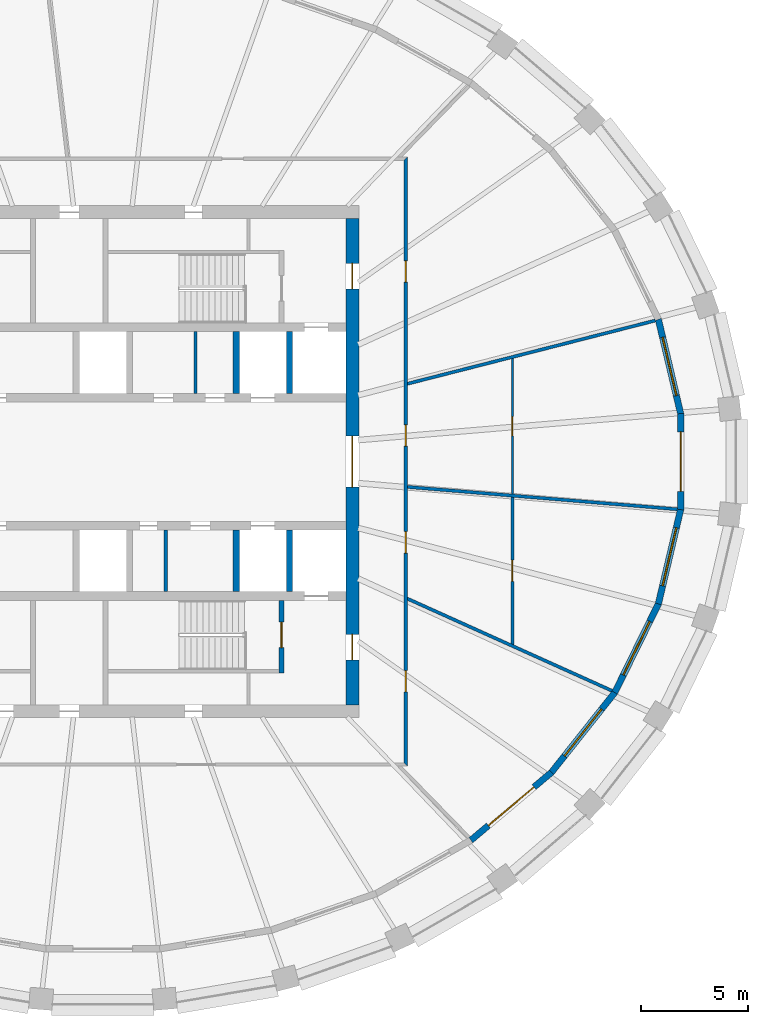
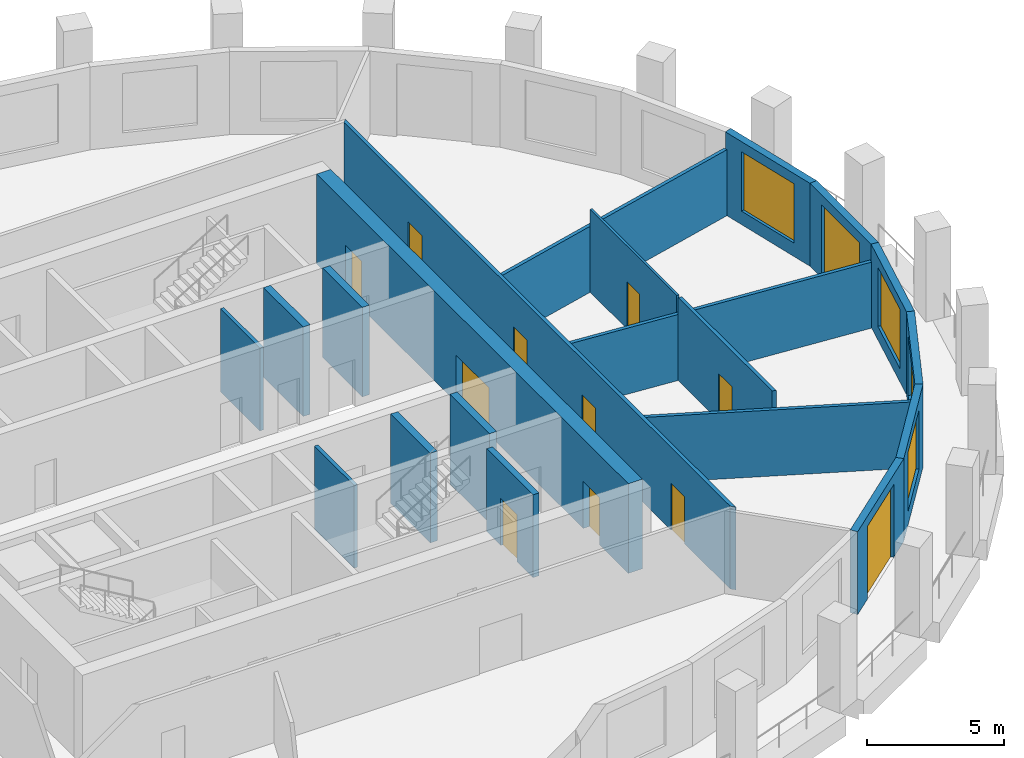
# One storey, part 5 of 10: 20 walls, 12 doors, 4 windows, 16 openings.
"""IFC4 building model written with IfcOpenShell, lengths in metres."""

from ifc_helpers import new_model, si_unit, direction, frame, frame_2d, origin, place, context, subcontext, project, spatial, polyline, rectangle, outline, extrude, material, layer, layer_set, type_object, element, fill, save


model = new_model("IFC4")

# Units and contexts
model_context = context("Model", 3, precision=1e-05, world=origin(), true_north=direction((0.0, 1.0)))
body_context = subcontext(model_context, "Body", "Model", "MODEL_VIEW")
ifc_project = project(units=[si_unit("LENGTHUNIT", "METRE"), si_unit("AREAUNIT", "SQUARE_METRE"), si_unit("VOLUMEUNIT", "CUBIC_METRE"), si_unit("PLANEANGLEUNIT", "RADIAN"), si_unit("MASSUNIT", "GRAM", prefix="KILO")], contexts=[model_context])

# Site, building, storey
site_placement = place(None, origin())
site = spatial("IfcSite", under=ifc_project, at=site_placement, CompositionType="ELEMENT")
building_placement = place(site_placement, origin())
building = spatial("IfcBuilding", under=site, at=building_placement, Name="Halqa Exchange Tower", CompositionType="ELEMENT")
storey_placement = place(building_placement, frame((0.0, 0.0, 276.300048828125)))
storey = spatial("IfcBuildingStorey", under=building, at=storey_placement, Name="L64", CompositionType="ELEMENT", Elevation=276.300048828125)

# Wall, opening, door
ifc_material_1 = material(Name="Gypsum board")
ifc_layer_1 = layer(ifc_material_1, 0.14990234375)
ifc_layer_set_1 = layer_set([ifc_layer_1], Name="Gypsum board")
wall_type_1 = type_object("IfcWallType", Name="Acoustic partition 150", PredefinedType="PARTITIONING", material=ifc_layer_set_1)
wall_1_placement = place(storey_placement, frame((19.199951171875, -1.66357421875, 0.0), z_axis=(0.0, 0.0, 1.0), x_axis=(0.0, -1.0, 0.0)))
wall_1 = element("IfcWall", 1, at=wall_1_placement, inside=storey, type_object=wall_type_1, Name="L64-PWL-021", PredefinedType="PARTITIONING", context=body_context, shape_type="SweptSolid", body=[
    extrude(outline(polyline([(0.0, -0.074951171875), (1.71533203125, -0.074951171875), (3.430908203125, -0.074951171875), (5.146240234375, -0.074951171875), (6.861572265625, -0.074951171875), (6.928955078125, 0.074462890625), (6.928955078125, 0.074951171875), (5.19970703125, 0.074951171875), (3.470458984375, 0.074951171875), (1.7412109375, 0.074951171875), (0.011962890625, 0.074951171875), (0.0, -0.069580078125), (0.0, -0.074951171875)])), origin(), (0.0, 0.0, 1.0), 3.699951171875),
])
opening_1_placement = place(wall_1_placement, frame((2.951416015625, 0.0, 0.0)))
opening_1 = element("IfcOpeningElement", 2, at=opening_1_placement, cuts=wall_1, Name="Opening 19-15", PredefinedType="OPENING", context=body_context, shape_type="SweptSolid", body=[
    extrude(rectangle(XDim=1.0, YDim=2.10009765625, at=frame_2d((0.5, 1.050048828125))), frame((0.0, 0.0869140625, 0.0), z_axis=(0.0, -1.0, 0.0), x_axis=(1.0, 0.0, 0.0)), (0.0, 0.0, 1.0), 0.173828125),
])
ifc_material_2 = material(Name="Timber door leaf", Category="wood")
door_type_1 = type_object("IfcDoorType", Name="Acoustic door 1000 x 2100", OperationType="SINGLE_SWING_LEFT", PredefinedType="DOOR", material=ifc_material_2)
door_1_placement = place(opening_1_placement, frame((1.0, 0.0, 0.0), z_axis=(0.0, 0.0, 1.0), x_axis=(-1.0, 0.0, 0.0)))
door_1 = element("IfcDoor", 3, at=door_1_placement, inside=storey, type_object=door_type_1, Name="L64-IDR-015", OperationType="SINGLE_SWING_LEFT", OverallHeight=2.10009765625, OverallWidth=1.0, PredefinedType="DOOR", context=body_context, shape_type="SweptSolid", body=[
    extrude(rectangle(XDim=1.0, YDim=2.10009765625, at=frame_2d((0.5, 1.050048828125))), frame((0.0, 0.02490234375, 0.0), z_axis=(0.0, -1.0, 0.0), x_axis=(1.0, 0.0, 0.0)), (0.0, 0.0, 1.0), 0.050048828125),
])
fill(opening_1, door_1)

# Wall, openings, doors
ifc_material_3 = material(Name="Fire-rated gypsum board")
ifc_layer_2 = layer(ifc_material_3, 0.14990234375)
ifc_layer_set_2 = layer_set([ifc_layer_2], Name="Fire-rated gypsum board")
wall_type_2 = type_object("IfcWallType", Name="Fire partition EI 60 150", PredefinedType="PARTITIONING", material=ifc_layer_set_2)
wall_2_placement = place(storey_placement, frame((14.199951171875, -14.27490234375, 0.0), z_axis=(0.0, 0.0, 1.0), x_axis=(0.0, 1.0, 0.0)))
wall_2 = element("IfcWall", 4, at=wall_2_placement, inside=storey, type_object=wall_type_2, Name="L64-PWL-017", PredefinedType="PARTITIONING", context=body_context, shape_type="SweptSolid", body=[
    extrude(outline(polyline([(28.5498046875, -0.074951171875), (28.5498046875, -0.074951171875), (28.39990234375, 0.074951171875), (26.5166015625, 0.074951171875), (24.63330078125, 0.074951171875), (22.75, 0.074951171875), (20.866455078125, 0.074951171875), (18.983154296875, 0.074951171875), (17.099853515625, 0.074951171875), (15.216552734375, 0.074951171875), (13.333251953125, 0.074951171875), (11.449951171875, 0.074951171875), (9.566650390625, 0.074951171875), (7.683349609375, 0.074951171875), (5.7998046875, 0.074951171875), (3.91650390625, 0.074951171875), (2.033203125, 0.074951171875), (0.14990234375, 0.074951171875), (0.0, -0.074951171875), (1.9033203125, -0.074951171875), (3.806640625, -0.074951171875), (5.7099609375, -0.074951171875), (7.61328125, -0.074951171875), (9.5166015625, -0.074951171875), (11.419921875, -0.074951171875), (13.3232421875, -0.074951171875), (15.2265625, -0.074951171875), (17.1298828125, -0.074951171875), (19.033203125, -0.074951171875), (20.9365234375, -0.074951171875), (22.83984375, -0.074951171875), (24.7431640625, -0.074951171875), (26.646484375, -0.074951171875), (28.5498046875, -0.074951171875)])), origin(), (0.0, 0.0, 1.0), 3.699951171875),
])
opening_2_placement = place(wall_2_placement, frame((3.47998046875, 0.0, 0.0)))
opening_2 = element("IfcOpeningElement", 5, at=opening_2_placement, cuts=wall_2, Name="Opening 19-08", PredefinedType="OPENING", context=body_context, shape_type="SweptSolid", body=[
    extrude(rectangle(XDim=1.0, YDim=2.10009765625, at=frame_2d((0.5, 1.050048828125))), frame((0.0, 0.0869140625, 0.0), z_axis=(0.0, -1.0, 0.0), x_axis=(1.0, 0.0, 0.0)), (0.0, 0.0, 1.0), 0.173828125),
])
opening_3_placement = place(wall_2_placement, frame((9.989990234375, 0.0, 0.0)))
opening_3 = element("IfcOpeningElement", 6, at=opening_3_placement, cuts=wall_2, Name="Opening 19-09", PredefinedType="OPENING", context=body_context, shape_type="SweptSolid", body=[
    extrude(rectangle(XDim=1.0, YDim=2.10009765625, at=frame_2d((0.5, 1.050048828125))), frame((0.0, 0.0869140625, 0.0), z_axis=(0.0, -1.0, 0.0), x_axis=(1.0, 0.0, 0.0)), (0.0, 0.0, 1.0), 0.173828125),
])
opening_4_placement = place(wall_2_placement, frame((15.0, 0.0, 0.0)))
opening_4 = element("IfcOpeningElement", 7, at=opening_4_placement, cuts=wall_2, Name="Opening 19-10", PredefinedType="OPENING", context=body_context, shape_type="SweptSolid", body=[
    extrude(rectangle(XDim=1.0, YDim=2.10009765625, at=frame_2d((0.5, 1.050048828125))), frame((0.0, 0.0869140625, 0.0), z_axis=(0.0, -1.0, 0.0), x_axis=(1.0, 0.0, 0.0)), (0.0, 0.0, 1.0), 0.173828125),
])
opening_5_placement = place(wall_2_placement, frame((22.68994140625, 0.0, 0.0)))
opening_5 = element("IfcOpeningElement", 8, at=opening_5_placement, cuts=wall_2, Name="Opening 19-11", PredefinedType="OPENING", context=body_context, shape_type="SweptSolid", body=[
    extrude(rectangle(XDim=1.0, YDim=2.10009765625, at=frame_2d((0.5, 1.050048828125))), frame((0.0, 0.0869140625, 0.0), z_axis=(0.0, -1.0, 0.0), x_axis=(1.0, 0.0, 0.0)), (0.0, 0.0, 1.0), 0.173828125),
])
ifc_material_4 = material(Name="Steel fire door leaf", Category="steel")
door_type_2 = type_object("IfcDoorType", Name="Fire door FD30S 1000 x 2100", OperationType="SINGLE_SWING_LEFT", PredefinedType="DOOR", material=ifc_material_4)
door_2_placement = place(opening_2_placement, frame((1.0, 0.0, 0.0), z_axis=(0.0, 0.0, 1.0), x_axis=(-1.0, 0.0, 0.0)))
door_2 = element("IfcDoor", 9, at=door_2_placement, inside=storey, type_object=door_type_2, Name="L64-IDR-008", OperationType="SINGLE_SWING_RIGHT", OverallHeight=2.10009765625, OverallWidth=1.0, PredefinedType="DOOR", context=body_context, shape_type="SweptSolid", body=[
    extrude(rectangle(XDim=1.0, YDim=2.10009765625, at=frame_2d((0.5, 1.050048828125))), frame((0.0, 0.02490234375, 0.0), z_axis=(0.0, -1.0, 0.0), x_axis=(1.0, 0.0, 0.0)), (0.0, 0.0, 1.0), 0.050048828125),
])
fill(opening_2, door_2)
door_3_placement = place(opening_3_placement, frame((1.0, 0.0, 0.0), z_axis=(0.0, 0.0, 1.0), x_axis=(-1.0, 0.0, 0.0)))
door_3 = element("IfcDoor", 10, at=door_3_placement, inside=storey, type_object=door_type_2, Name="L64-IDR-009", OperationType="SINGLE_SWING_LEFT", OverallHeight=2.10009765625, OverallWidth=1.0, PredefinedType="DOOR", context=body_context, shape_type="SweptSolid", body=[
    extrude(rectangle(XDim=1.0, YDim=2.10009765625, at=frame_2d((0.5, 1.050048828125))), frame((0.0, 0.02490234375, 0.0), z_axis=(0.0, -1.0, 0.0), x_axis=(1.0, 0.0, 0.0)), (0.0, 0.0, 1.0), 0.050048828125),
])
fill(opening_3, door_3)
door_4_placement = place(opening_4_placement, frame((1.0, 0.0, 0.0), z_axis=(0.0, 0.0, 1.0), x_axis=(-1.0, 0.0, 0.0)))
door_4 = element("IfcDoor", 11, at=door_4_placement, inside=storey, type_object=door_type_2, Name="L64-IDR-010", OperationType="SINGLE_SWING_RIGHT", OverallHeight=2.10009765625, OverallWidth=1.0, PredefinedType="DOOR", context=body_context, shape_type="SweptSolid", body=[
    extrude(rectangle(XDim=1.0, YDim=2.10009765625, at=frame_2d((0.5, 1.050048828125))), frame((0.0, 0.02490234375, 0.0), z_axis=(0.0, -1.0, 0.0), x_axis=(1.0, 0.0, 0.0)), (0.0, 0.0, 1.0), 0.050048828125),
])
fill(opening_4, door_4)
door_5_placement = place(opening_5_placement, frame((1.0, 0.0, 0.0), z_axis=(0.0, 0.0, 1.0), x_axis=(-1.0, 0.0, 0.0)))
door_5 = element("IfcDoor", 12, at=door_5_placement, inside=storey, type_object=door_type_2, Name="L64-IDR-011", OperationType="SINGLE_SWING_RIGHT", OverallHeight=2.10009765625, OverallWidth=1.0, PredefinedType="DOOR", context=body_context, shape_type="SweptSolid", body=[
    extrude(rectangle(XDim=1.0, YDim=2.10009765625, at=frame_2d((0.5, 1.050048828125))), frame((0.0, 0.02490234375, 0.0), z_axis=(0.0, -1.0, 0.0), x_axis=(1.0, 0.0, 0.0)), (0.0, 0.0, 1.0), 0.050048828125),
])
fill(opening_5, door_5)

# Walls
wall_3_placement = place(storey_placement, frame((14.24462890625, -6.41015625, 0.0), z_axis=(0.0, 0.0, 1.0), x_axis=(0.91183931518, -0.410547272908, 0.0)))
element("IfcWall", 13, at=wall_3_placement, inside=storey, type_object=wall_type_2, Name="L64-PWL-018", PredefinedType="PARTITIONING", context=body_context, shape_type="SweptSolid", body=[
    extrude(outline(polyline([(0.067138671875, -0.074951171875), (1.812744140625, -0.074951171875), (3.55859375, -0.074951171875), (5.304443359375, -0.074951171875), (7.05029296875, -0.074951171875), (8.796142578125, -0.074951171875), (10.541748046875, -0.074951171875), (10.559814453125, -0.00341796875), (10.5625, 0.072998046875), (10.5625, 0.074951171875), (8.816162109375, 0.074951171875), (7.070068359375, 0.074951171875), (5.32373046875, 0.074951171875), (5.3193359375, 0.072998046875), (5.318359375, 0.074951171875), (3.545654296875, 0.074951171875), (1.772705078125, 0.074951171875), (0.0, 0.074951171875), (0.0, 0.073974609375), (0.067138671875, -0.074951171875)])), origin(), (0.0, 0.0, 1.0), 2.947021484375),
])
wall_4_placement = place(storey_placement, frame((14.269287109375, -1.185791015625, 0.0), z_axis=(0.0, 0.0, 1.0), x_axis=(0.996588692452, -0.082528650035, 0.0)))
element("IfcWall", 14, at=wall_4_placement, inside=storey, type_object=wall_type_2, Name="L64-PWL-019", PredefinedType="PARTITIONING", context=body_context, shape_type="SweptSolid", body=[
    extrude(outline(polyline([(0.011962890625, -0.074951171875), (1.68212890625, -0.074951171875), (3.3525390625, -0.074951171875), (5.022705078125, -0.074951171875), (5.029052734375, -0.074462890625), (5.029052734375, -0.074951171875), (6.947021484375, -0.074951171875), (8.864990234375, -0.074951171875), (10.782958984375, -0.074951171875), (12.700927734375, -0.074951171875), (12.705810546875, -0.04248046875), (12.705810546875, 0.074951171875), (10.7529296875, 0.074951171875), (8.800048828125, 0.074951171875), (6.846923828125, 0.074951171875), (4.89404296875, 0.074951171875), (4.89111328125, 0.07470703125), (4.89111328125, 0.074951171875), (3.2607421875, 0.074951171875), (1.63037109375, 0.074951171875), (0.0, 0.074951171875), (0.0, 0.0693359375), (0.011962890625, -0.074951171875)])), origin(), (0.0, 0.0, 1.0), 2.947021484375),
])
wall_5_placement = place(storey_placement, frame((14.256591796875, 3.64453125, 0.0), z_axis=(0.0, 0.0, 1.0), x_axis=(0.968990601513, 0.247097580277, 0.0)))
element("IfcWall", 15, at=wall_5_placement, inside=storey, type_object=wall_type_2, Name="L64-PWL-020", PredefinedType="PARTITIONING", context=body_context, shape_type="SweptSolid", body=[
    extrude(outline(polyline([(12.0185546875, -0.074951171875), (12.0185546875, 0.011474609375), (12.005126953125, 0.074951171875), (10.0107421875, 0.074951171875), (8.01611328125, 0.074951171875), (6.021728515625, 0.074951171875), (4.027099609375, 0.074951171875), (2.03271484375, 0.074951171875), (0.0380859375, 0.074951171875), (0.0, -0.074462890625), (0.0, -0.074951171875), (1.717041015625, -0.074951171875), (3.433837890625, -0.074951171875), (5.15087890625, -0.074951171875), (6.86767578125, -0.074951171875), (8.584716796875, -0.074951171875), (10.301513671875, -0.074951171875), (12.0185546875, -0.074951171875)])), origin(), (0.0, 0.0, 1.0), 2.947021484375),
])

# Wall, opening, door
ifc_layer_3 = layer(ifc_material_1, 0.10009765625)
ifc_layer_set_3 = layer_set([ifc_layer_3], Name="Gypsum board")
wall_type_3 = type_object("IfcWallType", Name="Partition 100 gypsum", PredefinedType="PARTITIONING", material=ifc_layer_set_3)
wall_6_placement = place(storey_placement, frame((19.199951171875, 4.840087890625, 0.0), z_axis=(0.0, 0.0, 1.0), x_axis=(0.0, -1.0, 0.0)))
wall_6 = element("IfcWall", 16, at=wall_6_placement, inside=storey, type_object=wall_type_3, Name="L64-PWL-022", PredefinedType="PARTITIONING", context=body_context, shape_type="SweptSolid", body=[
    extrude(outline(polyline([(0.025146484375, -0.050048828125), (1.607421875, -0.050048828125), (3.18994140625, -0.050048828125), (4.772216796875, -0.050048828125), (6.354736328125, -0.050048828125), (6.362548828125, 0.044921875), (6.362548828125, 0.050048828125), (4.77197265625, 0.050048828125), (3.18115234375, 0.050048828125), (1.590576171875, 0.050048828125), (0.0, 0.050048828125), (0.0, 0.048583984375), (0.025146484375, -0.050048828125)])), origin(), (0.0, 0.0, 1.0), 3.699951171875),
])
opening_6_placement = place(wall_6_placement, frame((2.72998046875, 0.0, 0.0)))
opening_6 = element("IfcOpeningElement", 17, at=opening_6_placement, cuts=wall_6, Name="Opening 19-16", PredefinedType="OPENING", context=body_context, shape_type="SweptSolid", body=[
    extrude(rectangle(XDim=0.89990234375, YDim=2.10009765625, at=frame_2d((0.449951171875, 1.050048828125))), frame((0.0, 0.06201171875, 0.0), z_axis=(0.0, -1.0, 0.0), x_axis=(1.0, 0.0, 0.0)), (0.0, 0.0, 1.0), 0.1240234375),
])
door_type_3 = type_object("IfcDoorType", Name="Door 900 x 2100", OperationType="SINGLE_SWING_LEFT", PredefinedType="DOOR", material=ifc_material_2)
door_6_placement = place(opening_6_placement, frame((0.89990234375, 0.0, 0.0), z_axis=(0.0, 0.0, 1.0), x_axis=(-1.0, 0.0, 0.0)))
door_6 = element("IfcDoor", 18, at=door_6_placement, inside=storey, type_object=door_type_3, Name="L64-IDR-016", OperationType="SINGLE_SWING_LEFT", OverallHeight=2.10009765625, OverallWidth=0.89990234375, PredefinedType="DOOR", context=body_context, shape_type="SweptSolid", body=[
    extrude(rectangle(XDim=0.89990234375, YDim=2.10009765625, at=frame_2d((0.449951171875, 1.050048828125))), frame((0.0, 0.02490234375, 0.0), z_axis=(0.0, -1.0, 0.0), x_axis=(1.0, 0.0, 0.0)), (0.0, 0.0, 1.0), 0.050048828125),
])
fill(opening_6, door_6)

# Walls
ifc_layer_4 = layer(ifc_material_1, 0.14990234375)
ifc_layer_set_4 = layer_set([ifc_layer_4], Name="Gypsum board")
wall_type_4 = type_object("IfcWallType", Name="Penthouse riser wall 150 gypsum", PredefinedType="PARTITIONING", material=ifc_layer_set_4)
for number, where, z_axis, x_axis, name in (
    (19, (4.35009765625, 3.199951171875, 0.0), (0.0, 0.0, 1.0), (0.0, 1.0, 0.0), "Freed bay partition NE4.350"),
    (20, (2.949951171875, -6.10009765625, 0.0), (0.0, 0.0, 1.0), (0.0, 1.0, 0.0), "Freed bay partition SE2.950"),
):
    element("IfcWall", number, at=place(storey_placement, frame(where, z_axis=z_axis, x_axis=x_axis)), inside=storey, type_object=wall_type_4, Name=name, PredefinedType="PARTITIONING", context=body_context, shape_type="SweptSolid", body=[
        extrude(rectangle(XDim=2.900146484375, YDim=0.14990234375, at=frame_2d((1.4501953125, 0.0))), origin(), (0.0, 0.0, 1.0), 3.699951171875),
    ])
ifc_material_5 = material(Name="Concrete C60/75", Category="concrete")
ifc_layer_5 = layer(ifc_material_5, 0.300048828125)
ifc_layer_set_5 = layer_set([ifc_layer_5], Name="Concrete C60/75")
wall_type_5 = type_object("IfcWallType", Name="RC core wall 300", PredefinedType="SHEAR", material=ifc_layer_set_5)
for number, where, z_axis, x_axis, name in (
    (21, (6.25, 3.199951171875, 0.0), (0.0, 0.0, 1.0), (0.0, 1.0, 0.0), "Shaft divider N7"),
    (22, (8.75, 3.199951171875, 0.0), (0.0, 0.0, 1.0), (0.0, 1.0, 0.0), "Shaft divider N8"),
    (23, (6.25, -6.10009765625, 0.0), (0.0, 0.0, 1.0), (0.0, 1.0, 0.0), "Shaft divider S7"),
    (24, (8.75, -6.10009765625, 0.0), (0.0, 0.0, 1.0), (0.0, 1.0, 0.0), "Shaft divider S8"),
):
    element("IfcWall", number, at=place(storey_placement, frame(where, z_axis=z_axis, x_axis=x_axis)), inside=storey, type_object=wall_type_5, Name=name, PredefinedType="SHEAR", context=body_context, shape_type="SweptSolid", body=[
        extrude(rectangle(XDim=2.900146484375, YDim=0.300048828125, at=frame_2d((1.4501953125, 0.0))), origin(), (0.0, 0.0, 1.0), 4.0),
    ])

# Wall, openings, doors
ifc_layer_6 = layer(ifc_material_5, 0.60009765625)
ifc_layer_set_6 = layer_set([ifc_layer_6], Name="Concrete C60/75")
wall_type_6 = type_object("IfcWallType", Name="RC core wall 600 C60/75", PredefinedType="SHEAR", material=ifc_layer_set_6)
wall_7_placement = place(storey_placement, frame((11.699951171875, -11.39990234375, 0.0), z_axis=(0.0, 0.0, 1.0), x_axis=(0.0, 1.0, 0.0)))
wall_7 = element("IfcWall", 25, at=wall_7_placement, inside=storey, type_object=wall_type_6, Name="Core wall east", PredefinedType="SHEAR", context=body_context, shape_type="SweptSolid", body=[
    extrude(rectangle(XDim=22.7998046875, YDim=0.60009765625, at=frame_2d((11.39990234375, 0.0))), origin(), (0.0, 0.0, 1.0), 4.0),
])
opening_7_placement = place(wall_7_placement, frame((10.199951171875, 0.0, 0.0)))
opening_7 = element("IfcOpeningElement", 26, at=opening_7_placement, cuts=wall_7, Name="Opening T19-C10", PredefinedType="OPENING", context=body_context, shape_type="SweptSolid", body=[
    extrude(rectangle(XDim=2.39990234375, YDim=2.10009765625, at=frame_2d((1.199951171875, 1.050048828125))), frame((0.0, 0.31201171875, 0.0), z_axis=(0.0, -1.0, 0.0), x_axis=(1.0, 0.0, 0.0)), (0.0, 0.0, 1.0), 0.6240234375),
])
opening_8_placement = place(wall_7_placement, frame((19.5, 0.0, 0.0)))
opening_8 = element("IfcOpeningElement", 27, at=opening_8_placement, cuts=wall_7, Name="Opening T19-C15", PredefinedType="OPENING", context=body_context, shape_type="SweptSolid", body=[
    extrude(rectangle(XDim=1.199951171875, YDim=2.10009765625, at=frame_2d((0.60009765625, 1.050048828125))), frame((0.0, 0.31201171875, 0.0), z_axis=(0.0, -1.0, 0.0), x_axis=(1.0, 0.0, 0.0)), (0.0, 0.0, 1.0), 0.6240234375),
])
opening_9_placement = place(wall_7_placement, frame((2.10009765625, 0.0, 0.0)))
opening_9 = element("IfcOpeningElement", 28, at=opening_9_placement, cuts=wall_7, Name="Opening T19-C16", PredefinedType="OPENING", context=body_context, shape_type="SweptSolid", body=[
    extrude(rectangle(XDim=1.199951171875, YDim=2.10009765625, at=frame_2d((0.60009765625, 1.050048828125))), frame((0.0, 0.31201171875, 0.0), z_axis=(0.0, -1.0, 0.0), x_axis=(1.0, 0.0, 0.0)), (0.0, 0.0, 1.0), 0.6240234375),
])
door_type_4 = type_object("IfcDoorType", Name="Firefighting lobby door FD90 1200 x 2100", OperationType="SINGLE_SWING_RIGHT", PredefinedType="DOOR", material=ifc_material_4)
door_7_placement = place(opening_8_placement, origin())
door_7 = element("IfcDoor", 29, at=door_7_placement, inside=storey, type_object=door_type_4, Name="Firefighting lobby door", OperationType="SINGLE_SWING_RIGHT", OverallHeight=2.10009765625, OverallWidth=1.199951171875, PredefinedType="DOOR", context=body_context, shape_type="SweptSolid", body=[
    extrude(rectangle(XDim=1.199951171875, YDim=2.10009765625, at=frame_2d((0.60009765625, 1.050048828125))), frame((0.0, 0.02490234375, 0.0), z_axis=(0.0, -1.0, 0.0), x_axis=(1.0, 0.0, 0.0)), (0.0, 0.0, 1.0), 0.050048828125),
])
fill(opening_8, door_7)
door_8_placement = place(opening_9_placement, origin())
door_8 = element("IfcDoor", 30, at=door_8_placement, inside=storey, type_object=door_type_4, Name="Firefighting lobby door", OperationType="SINGLE_SWING_LEFT", OverallHeight=2.10009765625, OverallWidth=1.199951171875, PredefinedType="DOOR", context=body_context, shape_type="SweptSolid", body=[
    extrude(rectangle(XDim=1.199951171875, YDim=2.10009765625, at=frame_2d((0.60009765625, 1.050048828125))), frame((0.0, 0.02490234375, 0.0), z_axis=(0.0, -1.0, 0.0), x_axis=(1.0, 0.0, 0.0)), (0.0, 0.0, 1.0), 0.050048828125),
])
fill(opening_9, door_8)
door_type_5 = type_object("IfcDoorType", Name="Lobby double door FD60 2400 x 2100", OperationType="DOUBLE_DOOR_SINGLE_SWING", PredefinedType="DOOR", material=ifc_material_4)
door_9_placement = place(opening_7_placement, origin())
door_9 = element("IfcDoor", 31, at=door_9_placement, inside=storey, type_object=door_type_5, Name="Lift lobby double door", OperationType="DOUBLE_DOOR_SINGLE_SWING", OverallHeight=2.10009765625, OverallWidth=2.39990234375, PredefinedType="DOOR", context=body_context, shape_type="SweptSolid", body=[
    extrude(rectangle(XDim=2.39990234375, YDim=2.10009765625, at=frame_2d((1.199951171875, 1.050048828125))), frame((0.0, 0.02490234375, 0.0), z_axis=(0.0, -1.0, 0.0), x_axis=(1.0, 0.0, 0.0)), (0.0, 0.0, 1.0), 0.050048828125),
])
fill(opening_7, door_9)

# Wall, opening, door
ifc_material_6 = material(Name="Concrete C30/37", Category="concrete")
ifc_layer_7 = layer(ifc_material_6, 0.25)
ifc_layer_set_7 = layer_set([ifc_layer_7], Name="Concrete C30/37")
wall_type_7 = type_object("IfcWallType", Name="RC stair wall 250 C30/37", PredefinedType="SHEAR", material=ifc_layer_set_7)
wall_8_placement = place(storey_placement, frame((8.375, -9.89990234375, 0.0), z_axis=(0.0, 0.0, 1.0), x_axis=(0.0, 1.0, 0.0)))
wall_8 = element("IfcWall", 32, at=wall_8_placement, inside=storey, type_object=wall_type_7, Name="Stair ST2 east wall S", PredefinedType="SHEAR", context=body_context, shape_type="SweptSolid", body=[
    extrude(rectangle(XDim=3.39990234375, YDim=0.25, at=frame_2d((1.699951171875, 0.0))), origin(), (0.0, 0.0, 1.0), 3.699951171875),
])
opening_10_placement = place(wall_8_placement, frame((1.175048828125, 0.0, 0.0)))
opening_10 = element("IfcOpeningElement", 33, at=opening_10_placement, cuts=wall_8, Name="Opening T19-C14", PredefinedType="OPENING", context=body_context, shape_type="SweptSolid", body=[
    extrude(rectangle(XDim=1.199951171875, YDim=2.10009765625, at=frame_2d((0.60009765625, 1.050048828125))), frame((0.0, 0.136962890625, 0.0), z_axis=(0.0, -1.0, 0.0), x_axis=(1.0, 0.0, 0.0)), (0.0, 0.0, 1.0), 0.27392578125),
])
door_type_6 = type_object("IfcDoorType", Name="Stair door FD90 1200 x 2100", OperationType="SINGLE_SWING_LEFT", PredefinedType="DOOR", material=ifc_material_4)
door_10_placement = place(opening_10_placement, origin())
door_10 = element("IfcDoor", 34, at=door_10_placement, inside=storey, type_object=door_type_6, Name="Stair door ST4", OperationType="SINGLE_SWING_RIGHT", OverallHeight=2.10009765625, OverallWidth=1.199951171875, PredefinedType="DOOR", context=body_context, shape_type="SweptSolid", body=[
    extrude(rectangle(XDim=1.199951171875, YDim=2.10009765625, at=frame_2d((0.60009765625, 1.050048828125))), frame((0.0, 0.02490234375, 0.0), z_axis=(0.0, -1.0, 0.0), x_axis=(1.0, 0.0, 0.0)), (0.0, 0.0, 1.0), 0.050048828125),
])
fill(opening_10, door_10)

# Wall, opening, window
ifc_material_7 = material(Name="Limestone cladding", Category="masonry")
ifc_layer_8 = layer(ifc_material_7, 0.0400390625)
ifc_material_8 = material(Name="Ventilated cavity")
ifc_layer_9 = layer(ifc_material_8, 0.030029296875, ventilated=True)
ifc_material_9 = material(Name="Mineral wool insulation")
ifc_layer_10 = layer(ifc_material_9, 0.10009765625)
ifc_layer_11 = layer(ifc_material_6, 0.10009765625)
ifc_material_10 = material(Name="Internal plaster")
ifc_layer_12 = layer(ifc_material_10, 0.030029296875)
ifc_layer_set_8 = layer_set([ifc_layer_8, ifc_layer_9, ifc_layer_10, ifc_layer_11, ifc_layer_12], Name="Stone-faced insulated wall 300")
wall_type_8 = type_object("IfcWallType", Name="Stone-faced insulated wall 300", PredefinedType="STANDARD", material=ifc_layer_set_8)
wall_9_placement = place(storey_placement, frame((27.088134765625, 2.25244140625, 0.0), z_axis=(0.0, 0.0, 1.0), x_axis=(-0.22983372436, 0.973229910734, 0.0)))
wall_9 = element("IfcWall", 35, at=wall_9_placement, inside=storey, type_object=wall_type_8, Name="Glass-line wall 1", PredefinedType="STANDARD", context=body_context, shape_type="SweptSolid", body=[
    extrude(outline(polyline([(-0.017578125, -0.14990234375), (4.555908203125, -0.14990234375), (4.522216796875, 0.14990234375), (0.017578125, 0.14990234375), (-0.017578125, -0.14990234375)])), origin(), (0.0, 0.0, 1.0), 3.699951171875),
])
opening_11_placement = place(wall_9_placement, frame((0.869384765625, 0.0, 0.60009765625)))
opening_11 = element("IfcOpeningElement", 36, at=opening_11_placement, cuts=wall_9, Name="Opening W-F4-01", PredefinedType="OPENING", context=body_context, shape_type="SweptSolid", body=[
    extrude(rectangle(XDim=2.800048828125, YDim=2.64990234375, at=frame_2d((1.39990234375, 1.324951171875))), frame((0.0, 0.162109375, 0.0), z_axis=(0.0, -1.0, 0.0), x_axis=(1.0, 0.0, 0.0)), (0.0, 0.0, 1.0), 0.323974609375),
])
ifc_material_11 = material(Name="Clear low-emissivity glass in aluminium frame", Category="aluminium")
window_type = type_object("IfcWindowType", Name="Fixed clear glazed window 2800 x 2650", PartitioningType="DOUBLE_PANEL_VERTICAL", PredefinedType="WINDOW", material=ifc_material_11)
window_1_placement = place(opening_11_placement, origin())
window_1 = element("IfcWindow", 37, at=window_1_placement, inside=storey, type_object=window_type, Name="Window 4", OverallHeight=2.64990234375, OverallWidth=2.800048828125, PartitioningType="DOUBLE_PANEL_VERTICAL", PredefinedType="WINDOW", context=body_context, shape_type="SweptSolid", body=[
    extrude(rectangle(XDim=2.800048828125, YDim=2.64990234375, at=frame_2d((1.39990234375, 1.324951171875))), frame((0.0, 0.030029296875, 0.0), z_axis=(0.0, -1.0, 0.0), x_axis=(1.0, 0.0, 0.0)), (0.0, 0.0, 1.0), 0.06005859375),
])
fill(opening_11, window_1)

# Wall, opening, door
wall_10_placement = place(storey_placement, frame((17.2578125, -17.74951171875, 0.0), z_axis=(0.0, 0.0, 1.0), x_axis=(0.764832940795, 0.644228664897, 0.0)))
wall_10 = element("IfcWall", 38, at=wall_10_placement, inside=storey, type_object=wall_type_8, Name="Glass-line wall 28", PredefinedType="STANDARD", context=body_context, shape_type="SweptSolid", body=[
    extrude(outline(polyline([(-0.01416015625, -0.14990234375), (4.950439453125, -0.14990234375), (4.920166015625, 0.14990234375), (0.01416015625, 0.14990234375), (-0.01416015625, -0.14990234375)])), origin(), (0.0, 0.0, 1.0), 3.699951171875),
])
opening_12_placement = place(wall_10_placement, frame((1.067626953125, 0.0, 0.0)))
opening_12 = element("IfcOpeningElement", 39, at=opening_12_placement, cuts=wall_10, Name="Opening LG-F4-07", PredefinedType="OPENING", context=body_context, shape_type="SweptSolid", body=[
    extrude(rectangle(XDim=2.800048828125, YDim=3.25, at=frame_2d((1.39990234375, 1.625))), frame((0.0, 0.162109375, 0.0), z_axis=(0.0, -1.0, 0.0), x_axis=(1.0, 0.0, 0.0)), (0.0, 0.0, 1.0), 0.323974609375),
])
door_type_7 = type_object("IfcDoorType", Name="Glazed sliding loggia door 2800 x 3250", OperationType="DOUBLE_DOOR_SLIDING", PredefinedType="DOOR", material=ifc_material_11)
door_11_placement = place(opening_12_placement, origin())
door_11 = element("IfcDoor", 40, at=door_11_placement, inside=storey, type_object=door_type_7, Name="Loggia door 7", OperationType="DOUBLE_DOOR_SLIDING", OverallHeight=3.25, OverallWidth=2.800048828125, PredefinedType="DOOR", context=body_context, shape_type="SweptSolid", body=[
    extrude(rectangle(XDim=2.800048828125, YDim=3.25, at=frame_2d((1.39990234375, 1.625))), frame((0.0, 0.02490234375, 0.0), z_axis=(0.0, -1.0, 0.0), x_axis=(1.0, 0.0, 0.0)), (0.0, 0.0, 1.0), 0.050048828125),
])
fill(opening_12, door_11)

# Wall, opening, window
wall_11_placement = place(storey_placement, frame((21.032470703125, -14.570068359375, 0.0), z_axis=(0.0, 0.0, 1.0), x_axis=(0.621434755851, 0.783465917715, 0.0)))
wall_11 = element("IfcWall", 41, at=wall_11_placement, inside=storey, type_object=wall_type_8, Name="Glass-line wall 29", PredefinedType="STANDARD", context=body_context, shape_type="SweptSolid", body=[
    extrude(outline(polyline([(-0.01513671875, -0.14990234375), (4.791015625, -0.14990234375), (4.7587890625, 0.14990234375), (0.01513671875, 0.14990234375), (-0.01513671875, -0.14990234375)])), origin(), (0.0, 0.0, 1.0), 3.699951171875),
])
opening_13_placement = place(wall_11_placement, frame((0.9873046875, 0.0, 0.60009765625)))
opening_13 = element("IfcOpeningElement", 42, at=opening_13_placement, cuts=wall_11, Name="Opening W-F4-29", PredefinedType="OPENING", context=body_context, shape_type="SweptSolid", body=[
    extrude(rectangle(XDim=2.800048828125, YDim=2.64990234375, at=frame_2d((1.39990234375, 1.324951171875))), frame((0.0, 0.162109375, 0.0), z_axis=(0.0, -1.0, 0.0), x_axis=(1.0, 0.0, 0.0)), (0.0, 0.0, 1.0), 0.323974609375),
])
window_2_placement = place(opening_13_placement, origin())
window_2 = element("IfcWindow", 43, at=window_2_placement, inside=storey, type_object=window_type, Name="Window 4", OverallHeight=2.64990234375, OverallWidth=2.800048828125, PartitioningType="DOUBLE_PANEL_VERTICAL", PredefinedType="WINDOW", context=body_context, shape_type="SweptSolid", body=[
    extrude(rectangle(XDim=2.800048828125, YDim=2.64990234375, at=frame_2d((1.39990234375, 1.324951171875))), frame((0.0, 0.030029296875, 0.0), z_axis=(0.0, -1.0, 0.0), x_axis=(1.0, 0.0, 0.0)), (0.0, 0.0, 1.0), 0.06005859375),
])
fill(opening_13, window_2)

wall_12_placement = place(storey_placement, frame((23.999755859375, -10.8291015625, 0.0), z_axis=(0.0, 0.0, 1.0), x_axis=(0.441261940724, 0.897378348117, 0.0)))
wall_12 = element("IfcWall", 44, at=wall_12_placement, inside=storey, type_object=wall_type_8, Name="Glass-line wall 30", PredefinedType="STANDARD", context=body_context, shape_type="SweptSolid", body=[
    extrude(outline(polyline([(-0.01611328125, -0.14990234375), (4.651611328125, -0.14990234375), (4.617919921875, 0.14990234375), (0.01611328125, 0.14990234375), (-0.01611328125, -0.14990234375)])), origin(), (0.0, 0.0, 1.0), 3.699951171875),
])
opening_14_placement = place(wall_12_placement, frame((0.91748046875, 0.0, 0.60009765625)))
opening_14 = element("IfcOpeningElement", 45, at=opening_14_placement, cuts=wall_12, Name="Opening W-F4-30", PredefinedType="OPENING", context=body_context, shape_type="SweptSolid", body=[
    extrude(rectangle(XDim=2.800048828125, YDim=2.64990234375, at=frame_2d((1.39990234375, 1.324951171875))), frame((0.0, 0.162109375, 0.0), z_axis=(0.0, -1.0, 0.0), x_axis=(1.0, 0.0, 0.0)), (0.0, 0.0, 1.0), 0.323974609375),
])
window_3_placement = place(opening_14_placement, origin())
window_3 = element("IfcWindow", 46, at=window_3_placement, inside=storey, type_object=window_type, Name="Window 4", OverallHeight=2.64990234375, OverallWidth=2.800048828125, PartitioningType="DOUBLE_PANEL_VERTICAL", PredefinedType="WINDOW", context=body_context, shape_type="SweptSolid", body=[
    extrude(rectangle(XDim=2.800048828125, YDim=2.64990234375, at=frame_2d((1.39990234375, 1.324951171875))), frame((0.0, 0.030029296875, 0.0), z_axis=(0.0, -1.0, 0.0), x_axis=(1.0, 0.0, 0.0)), (0.0, 0.0, 1.0), 0.06005859375),
])
fill(opening_14, window_3)

wall_13_placement = place(storey_placement, frame((26.044921875, -6.669921875, 0.0), z_axis=(0.0, 0.0, 1.0), x_axis=(0.22983372436, 0.973229910734, 0.0)))
wall_13 = element("IfcWall", 47, at=wall_13_placement, inside=storey, type_object=wall_type_8, Name="Glass-line wall 31", PredefinedType="STANDARD", context=body_context, shape_type="SweptSolid", body=[
    extrude(outline(polyline([(-0.016845703125, -0.14990234375), (4.556640625, -0.14990234375), (4.521484375, 0.14990234375), (0.016845703125, 0.14990234375), (-0.016845703125, -0.14990234375)])), origin(), (0.0, 0.0, 1.0), 3.699951171875),
])
opening_15_placement = place(wall_13_placement, frame((0.869384765625, 0.0, 0.60009765625)))
opening_15 = element("IfcOpeningElement", 48, at=opening_15_placement, cuts=wall_13, Name="Opening W-F4-31", PredefinedType="OPENING", context=body_context, shape_type="SweptSolid", body=[
    extrude(rectangle(XDim=2.800048828125, YDim=2.64990234375, at=frame_2d((1.39990234375, 1.324951171875))), frame((0.0, 0.162109375, 0.0), z_axis=(0.0, -1.0, 0.0), x_axis=(1.0, 0.0, 0.0)), (0.0, 0.0, 1.0), 0.323974609375),
])
window_4_placement = place(opening_15_placement, origin())
window_4 = element("IfcWindow", 49, at=window_4_placement, inside=storey, type_object=window_type, Name="Window 4", OverallHeight=2.64990234375, OverallWidth=2.800048828125, PartitioningType="DOUBLE_PANEL_VERTICAL", PredefinedType="WINDOW", context=body_context, shape_type="SweptSolid", body=[
    extrude(rectangle(XDim=2.800048828125, YDim=2.64990234375, at=frame_2d((1.39990234375, 1.324951171875))), frame((0.0, 0.030029296875, 0.0), z_axis=(0.0, -1.0, 0.0), x_axis=(1.0, 0.0, 0.0)), (0.0, 0.0, 1.0), 0.06005859375),
])
fill(opening_15, window_4)

# Wall, opening, door
wall_14_placement = place(storey_placement, frame((27.088134765625, -2.25244140625, 0.0), z_axis=(0.0, 0.0, 1.0), x_axis=(0.0, 1.0, 0.0)))
wall_14 = element("IfcWall", 50, at=wall_14_placement, inside=storey, type_object=wall_type_8, Name="Glass-line wall 32", PredefinedType="STANDARD", context=body_context, shape_type="SweptSolid", body=[
    extrude(outline(polyline([(-0.017578125, -0.14990234375), (4.5224609375, -0.14990234375), (4.4873046875, 0.14990234375), (0.017578125, 0.14990234375), (-0.017578125, -0.14990234375)])), origin(), (0.0, 0.0, 1.0), 3.699951171875),
])
opening_16_placement = place(wall_14_placement, frame((0.852294921875, 0.0, 0.0)))
opening_16 = element("IfcOpeningElement", 51, at=opening_16_placement, cuts=wall_14, Name="Opening LG-F4-08", PredefinedType="OPENING", context=body_context, shape_type="SweptSolid", body=[
    extrude(rectangle(XDim=2.800048828125, YDim=3.25, at=frame_2d((1.39990234375, 1.625))), frame((0.0, 0.162109375, 0.0), z_axis=(0.0, -1.0, 0.0), x_axis=(1.0, 0.0, 0.0)), (0.0, 0.0, 1.0), 0.323974609375),
])
door_12_placement = place(opening_16_placement, origin())
door_12 = element("IfcDoor", 52, at=door_12_placement, inside=storey, type_object=door_type_7, Name="Loggia door 8", OperationType="DOUBLE_DOOR_SLIDING", OverallHeight=3.25, OverallWidth=2.800048828125, PredefinedType="DOOR", context=body_context, shape_type="SweptSolid", body=[
    extrude(rectangle(XDim=2.800048828125, YDim=3.25, at=frame_2d((1.39990234375, 1.625))), frame((0.0, 0.02490234375, 0.0), z_axis=(0.0, -1.0, 0.0), x_axis=(1.0, 0.0, 0.0)), (0.0, 0.0, 1.0), 0.050048828125),
])
fill(opening_16, door_12)

save(model, "model.ifc")
